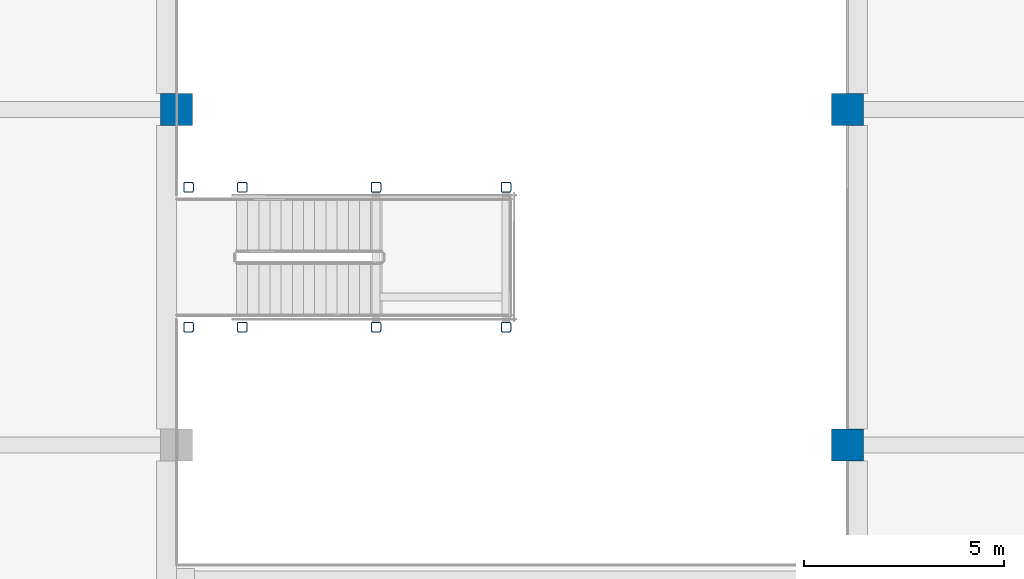
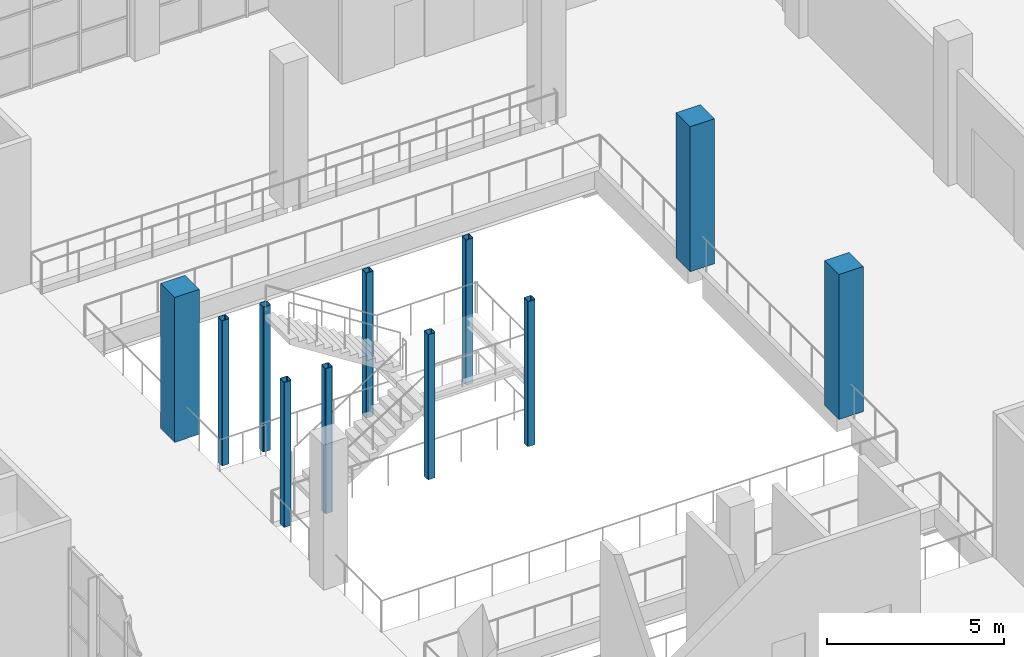
# One storey, part 2 of 101: 11 columns.
"""IFC4 building model written with IfcOpenShell, lengths in metres."""

from ifc_helpers import new_model, si_unit, direction, frame, origin, origin_2d, place, context, subcontext, project, spatial, rectangle, hollow_rectangle, extrude, material, material_profile, profile_set, type_object, element, save


model = new_model("IFC4")

# Units and contexts
model_context = context("Model", 3, precision=1e-05, world=origin(), true_north=direction((0.0, 1.0)))
body_context = subcontext(model_context, "Body", "Model", "MODEL_VIEW")
ifc_project = project(units=[si_unit("LENGTHUNIT", "METRE"), si_unit("AREAUNIT", "SQUARE_METRE"), si_unit("VOLUMEUNIT", "CUBIC_METRE"), si_unit("PLANEANGLEUNIT", "RADIAN"), si_unit("MASSUNIT", "GRAM", prefix="KILO")], contexts=[model_context])

# Site, building, storey
site_placement = place(None, origin())
site = spatial("IfcSite", under=ifc_project, at=site_placement, CompositionType="ELEMENT")
building_placement = place(site_placement, origin())
building = spatial("IfcBuilding", under=site, at=building_placement, Name="Almond Square Museum", CompositionType="ELEMENT")
storey_placement = place(building_placement, frame((0.0, 0.0, 5.5)))
storey = spatial("IfcBuildingStorey", under=building, at=storey_placement, Name="L01", CompositionType="ELEMENT", Elevation=5.5)

# Columns
ifc_material_1 = material(Name="Structural steel S355", Category="steel")
ifc_material_profile_1 = material_profile(ifc_material_1, hollow_rectangle(XDim=0.25, YDim=0.25, WallThickness=0.012451171875, InnerFilletRadius=0.02490234375, OuterFilletRadius=0.03759765625, at=origin_2d()))
ifc_profile_set_1 = profile_set([ifc_material_profile_1], Name="Structural steel S355")
column_type_1 = type_object("IfcColumnType", Name="Feature stair column SHS 250x250x12.5", PredefinedType="COLUMN", material=ifc_profile_set_1)
for number, where, z_axis, x_axis, name in (
    (1, (81.89990234375, 86.949951171875, 0.0), (0.0, 0.0, 1.0), (1.0, 0.0, 0.0), "L01 atrium feature stair support column"),
    (2, (81.89990234375, 90.449951171875, 0.0), (0.0, 0.0, 1.0), (1.0, 0.0, 0.0), "L01 atrium feature stair support column"),
    (3, (83.2451171875, 86.949951171875, 0.0), (0.0, 0.0, 1.0), (1.0, 0.0, 0.0), "L01 atrium feature stair support column"),
    (4, (83.2451171875, 90.449951171875, 0.0), (0.0, 0.0, 1.0), (1.0, 0.0, 0.0), "L01 atrium feature stair support column"),
    (5, (86.594970703125, 86.949951171875, 0.0), (0.0, 0.0, 1.0), (1.0, 0.0, 0.0), "L01 atrium feature stair support column"),
    (6, (86.594970703125, 90.449951171875, 0.0), (0.0, 0.0, 1.0), (1.0, 0.0, 0.0), "L01 atrium feature stair support column"),
    (7, (89.85009765625, 86.949951171875, 0.0), (0.0, 0.0, 1.0), (1.0, 0.0, 0.0), "L01 atrium feature stair support column"),
    (8, (89.85009765625, 90.449951171875, 0.0), (0.0, 0.0, 1.0), (1.0, 0.0, 0.0), "L01 atrium feature stair support column"),
):
    element("IfcColumn", number, at=place(storey_placement, frame(where, z_axis=z_axis, x_axis=x_axis)), inside=storey, type_object=column_type_1, Name=name, PredefinedType="COLUMN", context=body_context, shape_type="SweptSolid", body=[
        extrude(hollow_rectangle(XDim=0.25, YDim=0.25, WallThickness=0.012451171875, InnerFilletRadius=0.02490234375, OuterFilletRadius=0.03759765625, at=origin_2d()), origin(), (0.0, 0.0, 1.0), 5.0),
    ])
ifc_material_2 = material(Name="Concrete C40/50", Category="concrete")
ifc_material_profile_2 = material_profile(ifc_material_2, rectangle(XDim=0.800048828125, YDim=0.800048828125, at=origin_2d()))
ifc_profile_set_2 = profile_set([ifc_material_profile_2], Name="Concrete C40/50")
column_type_2 = type_object("IfcColumnType", Name="RC column 800 x 800 C40/50", PredefinedType="COLUMN", material=ifc_profile_set_2)
for number, where, z_axis, x_axis, name in (
    (9, (81.60009765625, 92.39990234375, 0.0), (0.0, 0.0, 1.0), (1.0, 0.0, 0.0), "Column 11-L L01"),
    (10, (98.39990234375, 84.0, 0.0), (0.0, 0.0, 1.0), (1.0, 0.0, 0.0), "Column 13-K L01"),
    (11, (98.39990234375, 92.39990234375, 0.0), (0.0, 0.0, 1.0), (1.0, 0.0, 0.0), "Column 13-L L01"),
):
    element("IfcColumn", number, at=place(storey_placement, frame(where, z_axis=z_axis, x_axis=x_axis)), inside=storey, type_object=column_type_2, Name=name, PredefinedType="COLUMN", context=body_context, shape_type="SweptSolid", body=[
        extrude(rectangle(XDim=0.800048828125, YDim=0.800048828125, at=origin_2d()), origin(), (0.0, 0.0, 1.0), 5.0),
    ])

save(model, "model.ifc")
